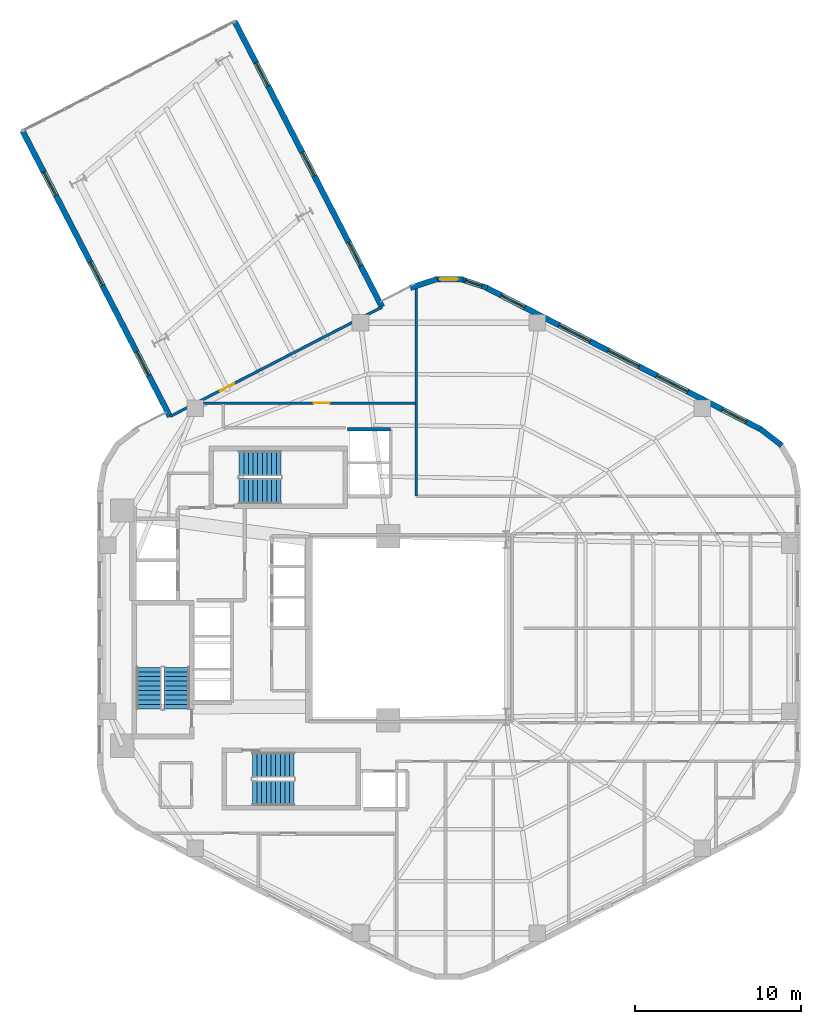
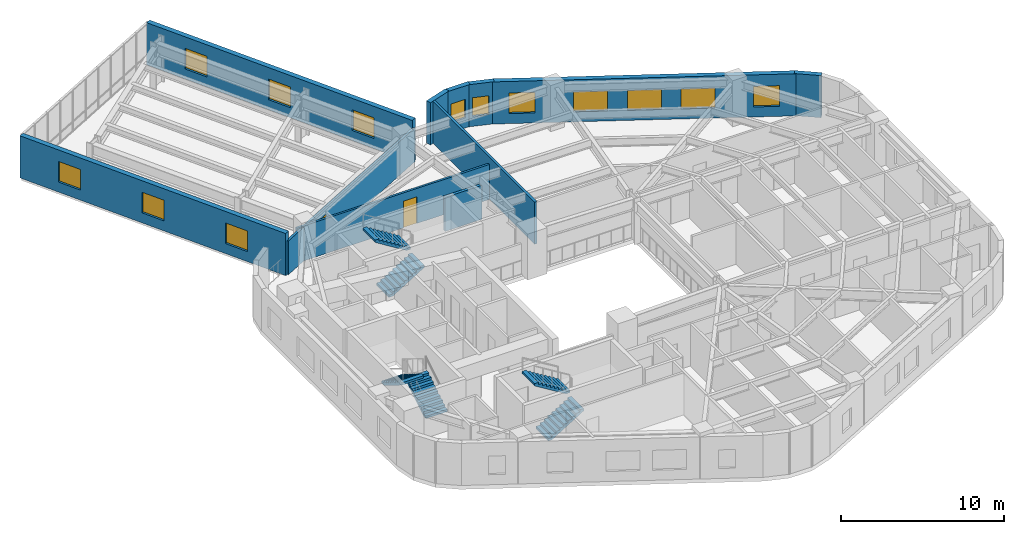
# One storey, part 9 of 10: 13 windows, 11 walls, 6 stair flights, 2 doors, 15 openings, 3 elements without a shape of their own.
"""IFC4 building model written with IfcOpenShell, lengths in metres."""

from ifc_helpers import new_model, si_unit, direction, frame, frame_2d, origin, place, context, subcontext, project, spatial, polyline, rectangle, outline, extrude, material, layer, layer_set, type_object, element, fill, aggregate, save


model = new_model("IFC4")

# Units and contexts
model_context = context("Model", 3, precision=1e-05, world=origin(), true_north=direction((0.0, 1.0)))
body_context = subcontext(model_context, "Body", "Model", "MODEL_VIEW")
ifc_project = project(units=[si_unit("LENGTHUNIT", "METRE"), si_unit("AREAUNIT", "SQUARE_METRE"), si_unit("VOLUMEUNIT", "CUBIC_METRE"), si_unit("PLANEANGLEUNIT", "RADIAN"), si_unit("MASSUNIT", "GRAM", prefix="KILO"), si_unit("THERMODYNAMICTEMPERATUREUNIT", "KELVIN"), si_unit("POWERUNIT", "WATT")], contexts=[model_context])

# Site, building, storey
site_placement = place(None, origin())
site = spatial("IfcSite", under=ifc_project, at=site_placement, CompositionType="ELEMENT")
building_placement = place(site_placement, origin())
building = spatial("IfcBuilding", under=site, at=building_placement, Name="Skarre Station Tower", CompositionType="ELEMENT")
storey_placement = place(building_placement, frame((0.0, 0.0, 142.949951171875)))
storey = spatial("IfcBuildingStorey", under=building, at=storey_placement, Name="L38", CompositionType="ELEMENT", Elevation=142.949951171875)

# Wall, opening, door
ifc_material_1 = material(Name="Acoustic Steel-Stud Gypsum Partition", Category="steel")
ifc_layer_1 = layer(ifc_material_1, 0.14990234375, Name="Acoustic Steel-Stud Gypsum Partition")
ifc_layer_set_1 = layer_set([ifc_layer_1], Name="Acoustic Steel-Stud Gypsum Partition")
wall_type_1 = type_object("IfcWallType", Name="Fire-Rated Corridor Acoustic Partition 150", PredefinedType="PARTITIONING", material=ifc_layer_set_1)
wall_1_placement = place(storey_placement, frame((34.0, 37.580078125, 0.0), z_axis=(0.0, 0.0, 1.0), x_axis=(-1.0, 0.0, 0.0)))
wall_1 = element("IfcWall", 1, at=wall_1_placement, inside=storey, type_object=wall_type_1, Name="L38 Interior Partition WL-PT-L38-NWW1-CW", PredefinedType="PARTITIONING", context=body_context, shape_type="SweptSolid", body=[
    extrude(rectangle(XDim=13.70703125, YDim=0.14990234375, at=frame_2d((6.853515625, 0.0))), origin(), (0.0, 0.0, 1.0), 2.626953125),
])
opening_1_placement = place(wall_1_placement, frame((5.195068359375, 0.0, 0.0)))
opening_1 = element("IfcOpeningElement", 2, at=opening_1_placement, cuts=wall_1, Name="Opening DR-FD60", PredefinedType="OPENING", context=body_context, shape_type="SweptSolid", body=[
    extrude(rectangle(XDim=0.9599609375, YDim=2.0, at=frame_2d((0.47998046875, 1.0))), frame((0.0, 0.0849609375, 0.0), z_axis=(0.0, -1.0, 0.0), x_axis=(1.0, 0.0, 0.0)), (0.0, 0.0, 1.0), 0.169921875),
])
ifc_material_2 = material(Name="Nordic White-Oak Veneer Solid-Core Fire Leaf", Category="wood")
door_type = type_object("IfcDoorType", Name="Corridor Suite Entry Fire Door FD60 960x2150", OperationType="SINGLE_SWING_LEFT", PredefinedType="DOOR", material=ifc_material_2)
door_1_placement = place(opening_1_placement, origin())
door_1 = element("IfcDoor", 3, at=door_1_placement, inside=storey, type_object=door_type, Name="L38 NWW1 Entry Door", OperationType="SINGLE_SWING_LEFT", OverallHeight=2.0, OverallWidth=0.9599609375, PredefinedType="DOOR", context=body_context, shape_type="SweptSolid", body=[
    extrude(rectangle(XDim=0.9599609375, YDim=2.0, at=frame_2d((0.47998046875, 1.0))), frame((0.0, 0.02490234375, 0.0), z_axis=(0.0, -1.0, 0.0), x_axis=(1.0, 0.0, 0.0)), (0.0, 0.0, 1.0), 0.050048828125),
])
fill(opening_1, door_1)

# Wall, openings, windows
ifc_material_3 = material(Name="Precast concrete C45/55", Category="concrete")
ifc_layer_2 = layer(ifc_material_3, 0.340087890625, Name="Precast concrete C45/55")
ifc_layer_set_2 = layer_set([ifc_layer_2], Name="Precast concrete C45/55")
wall_type_2 = type_object("IfcWallType", Name="Nordic Honed Precast Facet Wall 340", PredefinedType="STANDARD", material=ifc_layer_set_2)
wall_2_placement = place(storey_placement, frame((38.23095703125, 44.55810546875, 0.0), z_axis=(0.0, 0.0, 1.0), x_axis=(0.888613612362, -0.458656568606, 0.0)))
wall_2 = element("IfcWall", 4, at=wall_2_placement, inside=storey, type_object=wall_type_2, Name="L38 Facet 0 Nordic Precast Masonry Wall", PredefinedType="STANDARD", context=body_context, shape_type="SweptSolid", body=[
    extrude(rectangle(XDim=18.680908203125, YDim=0.340087890625, at=frame_2d((9.34033203125, 0.0))), origin(), (0.0, 0.0, 1.0), 3.16015625),
])
opening_2_placement = place(wall_2_placement, frame((1.02294921875, 0.0, 0.75)))
opening_2 = element("IfcOpeningElement", 5, at=opening_2_placement, cuts=wall_2, Name="Opening WN-Z2A", PredefinedType="OPENING", context=body_context, shape_type="SweptSolid", body=[
    extrude(rectangle(XDim=1.60009765625, YDim=1.550048828125, at=frame_2d((0.800048828125, 0.77490234375))), frame((0.0, 0.179931640625, 0.0), z_axis=(0.0, -1.0, 0.0), x_axis=(1.0, 0.0, 0.0)), (0.0, 0.0, 1.0), 0.360107421875),
])
opening_3_placement = place(wall_2_placement, frame((4.98095703125, 0.0, 0.75)))
opening_3 = element("IfcOpeningElement", 6, at=opening_3_placement, cuts=wall_2, Name="Opening WN-Z2B", PredefinedType="OPENING", context=body_context, shape_type="SweptSolid", body=[
    extrude(rectangle(XDim=2.10009765625, YDim=1.5, at=frame_2d((1.050048828125, 0.75))), frame((0.0, 0.179931640625, 0.0), z_axis=(0.0, -1.0, 0.0), x_axis=(1.0, 0.0, 0.0)), (0.0, 0.0, 1.0), 0.360107421875),
])
opening_4_placement = place(wall_2_placement, frame((8.2900390625, 0.0, 0.75)))
opening_4 = element("IfcOpeningElement", 7, at=opening_4_placement, cuts=wall_2, Name="Opening WN-Z2B", PredefinedType="OPENING", context=body_context, shape_type="SweptSolid", body=[
    extrude(rectangle(XDim=2.10009765625, YDim=1.5, at=frame_2d((1.050048828125, 0.75))), frame((0.0, 0.179931640625, 0.0), z_axis=(0.0, -1.0, 0.0), x_axis=(1.0, 0.0, 0.0)), (0.0, 0.0, 1.0), 0.360107421875),
])
opening_5_placement = place(wall_2_placement, frame((11.60009765625, 0.0, 0.75)))
opening_5 = element("IfcOpeningElement", 8, at=opening_5_placement, cuts=wall_2, Name="Opening WN-Z2B", PredefinedType="OPENING", context=body_context, shape_type="SweptSolid", body=[
    extrude(rectangle(XDim=2.10009765625, YDim=1.5, at=frame_2d((1.050048828125, 0.75))), frame((0.0, 0.179931640625, 0.0), z_axis=(0.0, -1.0, 0.0), x_axis=(1.0, 0.0, 0.0)), (0.0, 0.0, 1.0), 0.360107421875),
])
opening_6_placement = place(wall_2_placement, frame((16.05810546875, 0.0, 0.75)))
opening_6 = element("IfcOpeningElement", 9, at=opening_6_placement, cuts=wall_2, Name="Opening WN-Z2A", PredefinedType="OPENING", context=body_context, shape_type="SweptSolid", body=[
    extrude(rectangle(XDim=1.60009765625, YDim=1.550048828125, at=frame_2d((0.800048828125, 0.77490234375))), frame((0.0, 0.179931640625, 0.0), z_axis=(0.0, -1.0, 0.0), x_axis=(1.0, 0.0, 0.0)), (0.0, 0.0, 1.0), 0.360107421875),
])
ifc_material_4 = material(Name="Low-Iron Triple Glazing with Bronze Anodized Frame", Category="glass")
window_type_1 = type_object("IfcWindowType", Name="Nordic Residential Tall Window 1600x1550", PartitioningType="SINGLE_PANEL", PredefinedType="WINDOW", material=ifc_material_4)
window_1_placement = place(opening_2_placement, origin())
window_1 = element("IfcWindow", 10, at=window_1_placement, inside=storey, type_object=window_type_1, Name="L38 Facade Window WL-FAC-L38-F0-1", OverallHeight=1.550048828125, OverallWidth=1.60009765625, PartitioningType="SINGLE_PANEL", PredefinedType="WINDOW", context=body_context, shape_type="SweptSolid", body=[
    extrude(rectangle(XDim=1.60009765625, YDim=1.550048828125, at=frame_2d((0.800048828125, 0.77490234375))), frame((0.0, 0.030029296875, 0.0), z_axis=(0.0, -1.0, 0.0), x_axis=(1.0, 0.0, 0.0)), (0.0, 0.0, 1.0), 0.06005859375),
])
fill(opening_2, window_1)
window_2_placement = place(opening_6_placement, origin())
window_2 = element("IfcWindow", 11, at=window_2_placement, inside=storey, type_object=window_type_1, Name="L38 Facade Window WL-FAC-L38-F0-5", OverallHeight=1.550048828125, OverallWidth=1.60009765625, PartitioningType="SINGLE_PANEL", PredefinedType="WINDOW", context=body_context, shape_type="SweptSolid", body=[
    extrude(rectangle(XDim=1.60009765625, YDim=1.550048828125, at=frame_2d((0.800048828125, 0.77490234375))), frame((0.0, 0.030029296875, 0.0), z_axis=(0.0, -1.0, 0.0), x_axis=(1.0, 0.0, 0.0)), (0.0, 0.0, 1.0), 0.06005859375),
])
fill(opening_6, window_2)
window_type_2 = type_object("IfcWindowType", Name="Nordic Residential Twin Window 2100x1500", PartitioningType="SINGLE_PANEL", PredefinedType="WINDOW", material=ifc_material_4)
window_3_placement = place(opening_3_placement, origin())
window_3 = element("IfcWindow", 12, at=window_3_placement, inside=storey, type_object=window_type_2, Name="L38 Facade Window WL-FAC-L38-F0-2", OverallHeight=1.5, OverallWidth=2.10009765625, PartitioningType="SINGLE_PANEL", PredefinedType="WINDOW", context=body_context, shape_type="SweptSolid", body=[
    extrude(rectangle(XDim=2.10009765625, YDim=1.5, at=frame_2d((1.050048828125, 0.75))), frame((0.0, 0.030029296875, 0.0), z_axis=(0.0, -1.0, 0.0), x_axis=(1.0, 0.0, 0.0)), (0.0, 0.0, 1.0), 0.06005859375),
])
fill(opening_3, window_3)
window_4_placement = place(opening_4_placement, origin())
window_4 = element("IfcWindow", 13, at=window_4_placement, inside=storey, type_object=window_type_2, Name="L38 Facade Window WL-FAC-L38-F0-3", OverallHeight=1.5, OverallWidth=2.10009765625, PartitioningType="SINGLE_PANEL", PredefinedType="WINDOW", context=body_context, shape_type="SweptSolid", body=[
    extrude(rectangle(XDim=2.10009765625, YDim=1.5, at=frame_2d((1.050048828125, 0.75))), frame((0.0, 0.030029296875, 0.0), z_axis=(0.0, -1.0, 0.0), x_axis=(1.0, 0.0, 0.0)), (0.0, 0.0, 1.0), 0.06005859375),
])
fill(opening_4, window_4)
window_5_placement = place(opening_5_placement, origin())
window_5 = element("IfcWindow", 14, at=window_5_placement, inside=storey, type_object=window_type_2, Name="L38 Facade Window WL-FAC-L38-F0-4", OverallHeight=1.5, OverallWidth=2.10009765625, PartitioningType="SINGLE_PANEL", PredefinedType="WINDOW", context=body_context, shape_type="SweptSolid", body=[
    extrude(rectangle(XDim=2.10009765625, YDim=1.5, at=frame_2d((1.050048828125, 0.75))), frame((0.0, 0.030029296875, 0.0), z_axis=(0.0, -1.0, 0.0), x_axis=(1.0, 0.0, 0.0)), (0.0, 0.0, 1.0), 0.06005859375),
])
fill(opening_5, window_5)

wall_3_placement = place(storey_placement, frame((23.074951171875, 60.611083984375, 0.0), z_axis=(0.0, 0.0, 1.0), x_axis=(0.458619197522, -0.888632900395, 0.0)))
wall_3 = element("IfcWall", 15, at=wall_3_placement, inside=storey, type_object=wall_type_2, Name="L38 SB-3 Side 1 Precast Wall", PredefinedType="STANDARD", context=body_context, shape_type="SweptSolid", body=[
    extrude(rectangle(XDim=19.3994140625, YDim=0.340087890625, at=frame_2d((9.69970703125, 0.0))), origin(), (0.0, 0.0, 1.0), 3.16015625),
])
opening_7_placement = place(wall_3_placement, frame((2.800048828125, 0.0, 0.75)))
opening_7 = element("IfcOpeningElement", 16, at=opening_7_placement, cuts=wall_3, Name="Opening WN-Z2A", PredefinedType="OPENING", context=body_context, shape_type="SweptSolid", body=[
    extrude(rectangle(XDim=1.60009765625, YDim=1.550048828125, at=frame_2d((0.800048828125, 0.77490234375))), frame((0.0, 0.179931640625, 0.0), z_axis=(0.0, -1.0, 0.0), x_axis=(1.0, 0.0, 0.0)), (0.0, 0.0, 1.0), 0.360107421875),
])
opening_8_placement = place(wall_3_placement, frame((8.89990234375, 0.0, 0.75)))
opening_8 = element("IfcOpeningElement", 17, at=opening_8_placement, cuts=wall_3, Name="Opening WN-Z2A", PredefinedType="OPENING", context=body_context, shape_type="SweptSolid", body=[
    extrude(rectangle(XDim=1.60009765625, YDim=1.550048828125, at=frame_2d((0.800048828125, 0.77490234375))), frame((0.0, 0.179931640625, 0.0), z_axis=(0.0, -1.0, 0.0), x_axis=(1.0, 0.0, 0.0)), (0.0, 0.0, 1.0), 0.360107421875),
])
opening_9_placement = place(wall_3_placement, frame((15.0, 0.0, 0.75)))
opening_9 = element("IfcOpeningElement", 18, at=opening_9_placement, cuts=wall_3, Name="Opening WN-Z2A", PredefinedType="OPENING", context=body_context, shape_type="SweptSolid", body=[
    extrude(rectangle(XDim=1.60009765625, YDim=1.550048828125, at=frame_2d((0.800048828125, 0.77490234375))), frame((0.0, 0.179931640625, 0.0), z_axis=(0.0, -1.0, 0.0), x_axis=(1.0, 0.0, 0.0)), (0.0, 0.0, 1.0), 0.360107421875),
])
window_6_placement = place(opening_7_placement, origin())
window_6 = element("IfcWindow", 19, at=window_6_placement, inside=storey, type_object=window_type_1, Name="L38 Facade Window WL-SB-3-L38-S1-1", OverallHeight=1.550048828125, OverallWidth=1.60009765625, PartitioningType="SINGLE_PANEL", PredefinedType="WINDOW", context=body_context, shape_type="SweptSolid", body=[
    extrude(rectangle(XDim=1.60009765625, YDim=1.550048828125, at=frame_2d((0.800048828125, 0.77490234375))), frame((0.0, 0.030029296875, 0.0), z_axis=(0.0, -1.0, 0.0), x_axis=(1.0, 0.0, 0.0)), (0.0, 0.0, 1.0), 0.06005859375),
])
fill(opening_7, window_6)
window_7_placement = place(opening_8_placement, origin())
window_7 = element("IfcWindow", 20, at=window_7_placement, inside=storey, type_object=window_type_1, Name="L38 Facade Window WL-SB-3-L38-S1-2", OverallHeight=1.550048828125, OverallWidth=1.60009765625, PartitioningType="SINGLE_PANEL", PredefinedType="WINDOW", context=body_context, shape_type="SweptSolid", body=[
    extrude(rectangle(XDim=1.60009765625, YDim=1.550048828125, at=frame_2d((0.800048828125, 0.77490234375))), frame((0.0, 0.030029296875, 0.0), z_axis=(0.0, -1.0, 0.0), x_axis=(1.0, 0.0, 0.0)), (0.0, 0.0, 1.0), 0.06005859375),
])
fill(opening_8, window_7)
window_8_placement = place(opening_9_placement, origin())
window_8 = element("IfcWindow", 21, at=window_8_placement, inside=storey, type_object=window_type_1, Name="L38 Facade Window WL-SB-3-L38-S1-3", OverallHeight=1.550048828125, OverallWidth=1.60009765625, PartitioningType="SINGLE_PANEL", PredefinedType="WINDOW", context=body_context, shape_type="SweptSolid", body=[
    extrude(rectangle(XDim=1.60009765625, YDim=1.550048828125, at=frame_2d((0.800048828125, 0.77490234375))), frame((0.0, 0.030029296875, 0.0), z_axis=(0.0, -1.0, 0.0), x_axis=(1.0, 0.0, 0.0)), (0.0, 0.0, 1.0), 0.06005859375),
])
fill(opening_9, window_8)

wall_4_placement = place(storey_placement, frame((19.177001953125, 36.76708984375, 0.0), z_axis=(0.0, 0.0, 1.0), x_axis=(-0.458658947762, 0.88861238436, 0.0)))
wall_4 = element("IfcWall", 22, at=wall_4_placement, inside=storey, type_object=wall_type_2, Name="L38 SB-3 Side 2 Precast Wall", PredefinedType="STANDARD", context=body_context, shape_type="SweptSolid", body=[
    extrude(rectangle(XDim=19.39990234375, YDim=0.340087890625, at=frame_2d((9.699951171875, 0.0))), origin(), (0.0, 0.0, 1.0), 3.16015625),
])
opening_10_placement = place(wall_4_placement, frame((2.800048828125, 0.0, 0.75)))
opening_10 = element("IfcOpeningElement", 23, at=opening_10_placement, cuts=wall_4, Name="Opening WN-Z2A", PredefinedType="OPENING", context=body_context, shape_type="SweptSolid", body=[
    extrude(rectangle(XDim=1.60009765625, YDim=1.550048828125, at=frame_2d((0.800048828125, 0.77490234375))), frame((0.0, 0.179931640625, 0.0), z_axis=(0.0, -1.0, 0.0), x_axis=(1.0, 0.0, 0.0)), (0.0, 0.0, 1.0), 0.360107421875),
])
opening_11_placement = place(wall_4_placement, frame((8.89990234375, 0.0, 0.75)))
opening_11 = element("IfcOpeningElement", 24, at=opening_11_placement, cuts=wall_4, Name="Opening WN-Z2A", PredefinedType="OPENING", context=body_context, shape_type="SweptSolid", body=[
    extrude(rectangle(XDim=1.60009765625, YDim=1.550048828125, at=frame_2d((0.800048828125, 0.77490234375))), frame((0.0, 0.179931640625, 0.0), z_axis=(0.0, -1.0, 0.0), x_axis=(1.0, 0.0, 0.0)), (0.0, 0.0, 1.0), 0.360107421875),
])
opening_12_placement = place(wall_4_placement, frame((15.0, 0.0, 0.75)))
opening_12 = element("IfcOpeningElement", 25, at=opening_12_placement, cuts=wall_4, Name="Opening WN-Z2A", PredefinedType="OPENING", context=body_context, shape_type="SweptSolid", body=[
    extrude(rectangle(XDim=1.60009765625, YDim=1.550048828125, at=frame_2d((0.800048828125, 0.77490234375))), frame((0.0, 0.179931640625, 0.0), z_axis=(0.0, -1.0, 0.0), x_axis=(1.0, 0.0, 0.0)), (0.0, 0.0, 1.0), 0.360107421875),
])
window_9_placement = place(opening_10_placement, origin())
window_9 = element("IfcWindow", 26, at=window_9_placement, inside=storey, type_object=window_type_1, Name="L38 Facade Window WL-SB-3-L38-S2-1", OverallHeight=1.550048828125, OverallWidth=1.60009765625, PartitioningType="SINGLE_PANEL", PredefinedType="WINDOW", context=body_context, shape_type="SweptSolid", body=[
    extrude(rectangle(XDim=1.60009765625, YDim=1.550048828125, at=frame_2d((0.800048828125, 0.77490234375))), frame((0.0, 0.030029296875, 0.0), z_axis=(0.0, -1.0, 0.0), x_axis=(1.0, 0.0, 0.0)), (0.0, 0.0, 1.0), 0.06005859375),
])
fill(opening_10, window_9)
window_10_placement = place(opening_11_placement, origin())
window_10 = element("IfcWindow", 27, at=window_10_placement, inside=storey, type_object=window_type_1, Name="L38 Facade Window WL-SB-3-L38-S2-2", OverallHeight=1.550048828125, OverallWidth=1.60009765625, PartitioningType="SINGLE_PANEL", PredefinedType="WINDOW", context=body_context, shape_type="SweptSolid", body=[
    extrude(rectangle(XDim=1.60009765625, YDim=1.550048828125, at=frame_2d((0.800048828125, 0.77490234375))), frame((0.0, 0.030029296875, 0.0), z_axis=(0.0, -1.0, 0.0), x_axis=(1.0, 0.0, 0.0)), (0.0, 0.0, 1.0), 0.06005859375),
])
fill(opening_11, window_10)
window_11_placement = place(opening_12_placement, origin())
window_11 = element("IfcWindow", 28, at=window_11_placement, inside=storey, type_object=window_type_1, Name="L38 Facade Window WL-SB-3-L38-S2-3", OverallHeight=1.550048828125, OverallWidth=1.60009765625, PartitioningType="SINGLE_PANEL", PredefinedType="WINDOW", context=body_context, shape_type="SweptSolid", body=[
    extrude(rectangle(XDim=1.60009765625, YDim=1.550048828125, at=frame_2d((0.800048828125, 0.77490234375))), frame((0.0, 0.030029296875, 0.0), z_axis=(0.0, -1.0, 0.0), x_axis=(1.0, 0.0, 0.0)), (0.0, 0.0, 1.0), 0.06005859375),
])
fill(opening_12, window_11)

# Walls
ifc_layer_3 = layer(ifc_material_3, 0.330078125, Name="Precast concrete C45/55")
ifc_layer_set_3 = layer_set([ifc_layer_3], Name="Precast concrete C45/55")
wall_type_3 = type_object("IfcWallType", Name="Nordic Rounded Corner Precast Wall 330", PredefinedType="STANDARD", material=ifc_layer_set_3)
wall_5_placement = place(storey_placement, frame((54.757080078125, 36.050048828125, 0.0), z_axis=(0.0, 0.0, 1.0), x_axis=(0.790621329885, -0.612305408053, 0.0)))
element("IfcWall", 29, at=wall_5_placement, inside=storey, type_object=wall_type_3, Name="L38 Rounded Corner Precast Wall F0-1", PredefinedType="STANDARD", context=body_context, shape_type="SweptSolid", body=[
    extrude(rectangle(XDim=1.67578125, YDim=0.330078125, at=frame_2d((0.837890625, 0.0))), origin(), (0.0, 0.0, 1.0), 3.16015625),
])
wall_6_placement = place(storey_placement, frame((33.680908203125, 44.531982421875, 0.0), z_axis=(0.0, 0.0, 1.0), x_axis=(0.949937416267, 0.312440242569, 0.0)))
element("IfcWall", 30, at=wall_6_placement, inside=storey, type_object=wall_type_3, Name="L38 Rounded Corner Precast Wall F1-1", PredefinedType="STANDARD", context=body_context, shape_type="SweptSolid", body=[
    extrude(rectangle(XDim=1.72216796875, YDim=0.330078125, at=frame_2d((0.861083984375, 0.0))), origin(), (0.0, 0.0, 1.0), 3.16015625),
])

# Wall, opening, window
wall_7_placement = place(storey_placement, frame((35.138916015625, 45.041015625, 0.0), z_axis=(0.0, 0.0, 1.0), x_axis=(1.0, 0.0, 0.0)))
wall_7 = element("IfcWall", 31, at=wall_7_placement, inside=storey, type_object=wall_type_3, Name="L38 Rounded Corner Precast Wall F1-2", PredefinedType="STANDARD", context=body_context, shape_type="SweptSolid", body=[
    extrude(rectangle(XDim=1.72216796875, YDim=0.330078125, at=frame_2d((0.861083984375, 0.0))), origin(), (0.0, 0.0, 1.0), 3.16015625),
])
opening_13_placement = place(wall_7_placement, frame((0.3359375, 0.0, 0.75)))
opening_13 = element("IfcOpeningElement", 32, at=opening_13_placement, cuts=wall_7, Name="Opening WN-SLT", PredefinedType="OPENING", context=body_context, shape_type="SweptSolid", body=[
    extrude(rectangle(XDim=1.050048828125, YDim=1.39990234375, at=frame_2d((0.52490234375, 0.699951171875))), frame((0.0, 0.175048828125, 0.0), z_axis=(0.0, -1.0, 0.0), x_axis=(1.0, 0.0, 0.0)), (0.0, 0.0, 1.0), 0.35009765625),
])
window_type_3 = type_object("IfcWindowType", Name="Nordic Corner Slot Window 1050x1400", PartitioningType="SINGLE_PANEL", PredefinedType="WINDOW", material=ifc_material_4)
window_12_placement = place(opening_13_placement, origin())
window_12 = element("IfcWindow", 33, at=window_12_placement, inside=storey, type_object=window_type_3, Name="L38 Apex Corner Slot Window F1-2", OverallHeight=1.39990234375, OverallWidth=1.050048828125, PartitioningType="SINGLE_PANEL", PredefinedType="WINDOW", context=body_context, shape_type="SweptSolid", body=[
    extrude(rectangle(XDim=1.050048828125, YDim=1.39990234375, at=frame_2d((0.52490234375, 0.699951171875))), frame((0.0, 0.030029296875, 0.0), z_axis=(0.0, -1.0, 0.0), x_axis=(1.0, 0.0, 0.0)), (0.0, 0.0, 1.0), 0.06005859375),
])
fill(opening_13, window_12)

wall_8_placement = place(storey_placement, frame((36.68310546875, 45.070068359375, 0.0), z_axis=(0.0, 0.0, 1.0), x_axis=(0.949937416267, -0.312440242569, 0.0)))
wall_8 = element("IfcWall", 34, at=wall_8_placement, inside=storey, type_object=wall_type_3, Name="L38 Rounded Corner Precast Wall F1-3", PredefinedType="STANDARD", context=body_context, shape_type="SweptSolid", body=[
    extrude(rectangle(XDim=1.72216796875, YDim=0.330078125, at=frame_2d((0.861083984375, 0.0))), origin(), (0.0, 0.0, 1.0), 3.16015625),
])
opening_14_placement = place(wall_8_placement, frame((0.3359375, 0.0, 0.75)))
opening_14 = element("IfcOpeningElement", 35, at=opening_14_placement, cuts=wall_8, Name="Opening WN-SLT", PredefinedType="OPENING", context=body_context, shape_type="SweptSolid", body=[
    extrude(rectangle(XDim=1.050048828125, YDim=1.39990234375, at=frame_2d((0.52490234375, 0.699951171875))), frame((0.0, 0.175048828125, 0.0), z_axis=(0.0, -1.0, 0.0), x_axis=(1.0, 0.0, 0.0)), (0.0, 0.0, 1.0), 0.35009765625),
])
window_13_placement = place(opening_14_placement, origin())
window_13 = element("IfcWindow", 36, at=window_13_placement, inside=storey, type_object=window_type_3, Name="L38 Apex Corner Slot Window F1-3", OverallHeight=1.39990234375, OverallWidth=1.050048828125, PartitioningType="SINGLE_PANEL", PredefinedType="WINDOW", context=body_context, shape_type="SweptSolid", body=[
    extrude(rectangle(XDim=1.050048828125, YDim=1.39990234375, at=frame_2d((0.52490234375, 0.699951171875))), frame((0.0, 0.030029296875, 0.0), z_axis=(0.0, -1.0, 0.0), x_axis=(1.0, 0.0, 0.0)), (0.0, 0.0, 1.0), 0.06005859375),
])
fill(opening_14, window_13)

# Walls
ifc_material_5 = material(Name="Gypsum Concrete Shaft Assembly C30/37", Category="concrete")
ifc_layer_4 = layer(ifc_material_5, 0.199951171875, Name="Gypsum Concrete Shaft Assembly C30/37")
ifc_layer_set_4 = layer_set([ifc_layer_4], Name="Gypsum Concrete Shaft Assembly C30/37")
wall_type_4 = type_object("IfcWallType", Name="Shaft & Core Fire Partition 200", PredefinedType="PARTITIONING", material=ifc_layer_set_4)
wall_9_placement = place(storey_placement, frame((29.8798828125, 36.0, 0.0), z_axis=(0.0, 0.0, 1.0), x_axis=(1.0, 0.0, 0.0)))
element("IfcWall", 37, at=wall_9_placement, inside=storey, type_object=wall_type_4, Name="L38 Interior Partition WL-PT-L38-EX-N", PredefinedType="PARTITIONING", context=body_context, shape_type="SweptSolid", body=[
    extrude(rectangle(XDim=2.60009765625, YDim=0.199951171875, at=frame_2d((1.300048828125, 0.0))), origin(), (0.0, 0.0, 1.0), 2.552001953125),
])
ifc_layer_5 = layer(ifc_material_1, 0.1650390625, Name="Acoustic Steel-Stud Gypsum Partition")
ifc_layer_set_5 = layer_set([ifc_layer_5], Name="Acoustic Steel-Stud Gypsum Partition")
wall_type_5 = type_object("IfcWallType", Name="Suite Demising Acoustic Partition 165", PredefinedType="PARTITIONING", material=ifc_layer_set_5)
wall_10_placement = place(storey_placement, frame((34.0400390625, 31.9599609375, 0.0), z_axis=(0.0, 0.0, 1.0), x_axis=(0.0, 1.0, 0.0)))
element("IfcWall", 38, at=wall_10_placement, inside=storey, type_object=wall_type_5, Name="L38 Interior Partition WL-PT-L38-NW-WBND", PredefinedType="PARTITIONING", context=body_context, shape_type="SweptSolid", body=[
    extrude(rectangle(XDim=12.55810546875, YDim=0.1650390625, at=frame_2d((6.279052734375, 0.0))), origin(), (0.0, 0.0, 1.0), 3.16015625),
])

# Wall, opening, door
wall_11_placement = place(storey_placement, frame((31.971923828125, 43.3720703125, 0.0), z_axis=(0.0, 0.0, 1.0), x_axis=(-0.888588109751, -0.458705974683, 0.0)))
wall_11 = element("IfcWall", 39, at=wall_11_placement, inside=storey, type_object=wall_type_5, Name="L38 Interior Partition WL-PT-L38-SB-3-ROOT", PredefinedType="PARTITIONING", context=body_context, shape_type="SweptSolid", body=[
    extrude(rectangle(XDim=14.399169921875, YDim=0.1650390625, at=frame_2d((7.19970703125, 0.0))), origin(), (0.0, 0.0, 1.0), 2.531982421875),
])
opening_15_placement = place(wall_11_placement, frame((10.049072265625, 0.0, 0.0)))
opening_15 = element("IfcOpeningElement", 40, at=opening_15_placement, cuts=wall_11, Name="Opening DR-FD60", PredefinedType="OPENING", context=body_context, shape_type="SweptSolid", body=[
    extrude(rectangle(XDim=0.9599609375, YDim=2.0, at=frame_2d((0.47998046875, 1.0))), frame((0.0, 0.092529296875, 0.0), z_axis=(0.0, -1.0, 0.0), x_axis=(1.0, 0.0, 0.0)), (0.0, 0.0, 1.0), 0.18505859375),
])
door_2_placement = place(opening_15_placement, origin())
door_2 = element("IfcDoor", 41, at=door_2_placement, inside=storey, type_object=door_type, Name="L38 SB-3 Horizon Salon Door", OperationType="SINGLE_SWING_LEFT", OverallHeight=2.0, OverallWidth=0.9599609375, PredefinedType="DOOR", context=body_context, shape_type="SweptSolid", body=[
    extrude(rectangle(XDim=0.9599609375, YDim=2.0, at=frame_2d((0.47998046875, 1.0))), frame((0.0, 0.02490234375, 0.0), z_axis=(0.0, -1.0, 0.0), x_axis=(1.0, 0.0, 0.0)), (0.0, 0.0, 1.0), 0.050048828125),
])
fill(opening_15, door_2)

# Stair, stair flights
ifc_material_6 = material(Name="Concrete C40/50", Category="concrete")
stair_type_1 = type_object("IfcStairType", Name="Reinforced Concrete Exit Stair ST-1", PredefinedType="HALF_TURN_STAIR", material=ifc_material_6)
stair_1_placement = place(storey_placement, origin())
stair_1 = element("IfcStair", 42, at=stair_1_placement, inside=storey, type_object=stair_type_1, Name="L38 Core Exit Stair ST-1", PredefinedType="HALF_TURN_STAIR")
stair_flight_type_1 = type_object("IfcStairFlightType", Name="Reinforced Concrete Stair Flight ST-1", PredefinedType="STRAIGHT", material=ifc_material_6)
stair_flight_1_placement = place(storey_placement, frame((19.590087890625, 19.1201171875, 0.0), z_axis=(0.0, 0.0, 1.0), x_axis=(0.0, 1.0, 0.0)))
stair_flight_1 = element("IfcStairFlight", 43, at=stair_flight_1_placement, type_object=stair_flight_type_1, Name="ST-1 flight 1", NumberOfRisers=10, NumberOfTreads=9, PredefinedType="STRAIGHT", RiserHeight=0.1725, TreadLength=0.28, context=body_context, shape_type="SweptSolid", body=[
    extrude(outline(polyline([(0.0, 0.0), (0.0, 0.172607421875), (0.280029296875, 0.172607421875), (0.280029296875, 0.344970703125), (0.56005859375, 0.344970703125), (0.56005859375, 0.517578125), (0.840087890625, 0.517578125), (0.840087890625, 0.68994140625), (1.1201171875, 0.68994140625), (1.1201171875, 0.862548828125), (1.39990234375, 0.862548828125), (1.39990234375, 1.034912109375), (1.679931640625, 1.034912109375), (1.679931640625, 1.20751953125), (1.9599609375, 1.20751953125), (1.9599609375, 1.3798828125), (2.239990234375, 1.3798828125), (2.239990234375, 1.552490234375), (2.52001953125, 1.552490234375), (2.52001953125, 1.72509765625), (2.52001953125, 1.37646484375), (0.285888671875, 0.0), (0.0, 0.0)])), frame((0.0, 0.760009765625, 0.0), z_axis=(0.0, -1.0, 0.0), x_axis=(1.0, 0.0, 0.0)), (0.0, 0.0, 1.0), 1.52001953125),
])
stair_flight_2_placement = place(storey_placement, frame((17.909912109375, 21.639892578125, 1.72509765625), z_axis=(0.0, 0.0, 1.0), x_axis=(0.0, -1.0, 0.0)))
stair_flight_2 = element("IfcStairFlight", 44, at=stair_flight_2_placement, type_object=stair_flight_type_1, Name="ST-1 flight 2", NumberOfRisers=10, NumberOfTreads=9, PredefinedType="STRAIGHT", RiserHeight=0.1725, TreadLength=0.28, context=body_context, shape_type="SweptSolid", body=[
    extrude(outline(polyline([(0.0, 0.0), (0.0, 0.172607421875), (0.280029296875, 0.172607421875), (0.280029296875, 0.344970703125), (0.56005859375, 0.344970703125), (0.56005859375, 0.517578125), (0.840087890625, 0.517578125), (0.840087890625, 0.68994140625), (1.1201171875, 0.68994140625), (1.1201171875, 0.862548828125), (1.39990234375, 0.862548828125), (1.39990234375, 1.034912109375), (1.679931640625, 1.034912109375), (1.679931640625, 1.20751953125), (1.9599609375, 1.20751953125), (1.9599609375, 1.3798828125), (2.239990234375, 1.3798828125), (2.239990234375, 1.552490234375), (2.52001953125, 1.552490234375), (2.52001953125, 1.72509765625), (2.52001953125, 1.37646484375), (0.285888671875, 0.0), (0.0, 0.0)])), frame((0.0, 0.760009765625, 0.0), z_axis=(0.0, -1.0, 0.0), x_axis=(1.0, 0.0, 0.0)), (0.0, 0.0, 1.0), 1.52001953125),
])
aggregate(stair_1, [stair_flight_1, stair_flight_2])

stair_type_2 = type_object("IfcStairType", Name="Reinforced Concrete Exit Stair ST-2", PredefinedType="HALF_TURN_STAIR", material=ifc_material_6)
stair_2_placement = place(storey_placement, origin())
stair_2 = element("IfcStair", 45, at=stair_2_placement, inside=storey, type_object=stair_type_2, Name="L38 Core Exit Stair ST-2", PredefinedType="HALF_TURN_STAIR")
stair_flight_type_2 = type_object("IfcStairFlightType", Name="Reinforced Concrete Stair Flight ST-2", PredefinedType="STRAIGHT", material=ifc_material_6)
stair_flight_3_placement = place(storey_placement, frame((24.14990234375, 14.06005859375, 0.0), z_axis=(0.0, 0.0, 1.0), x_axis=(1.0, 0.0, 0.0)))
stair_flight_3 = element("IfcStairFlight", 46, at=stair_flight_3_placement, type_object=stair_flight_type_2, Name="ST-2 flight 1", NumberOfRisers=10, NumberOfTreads=9, PredefinedType="STRAIGHT", RiserHeight=0.1725, TreadLength=0.28, context=body_context, shape_type="SweptSolid", body=[
    extrude(outline(polyline([(0.0, 0.0), (0.0, 0.172607421875), (0.280029296875, 0.172607421875), (0.280029296875, 0.344970703125), (0.56005859375, 0.344970703125), (0.56005859375, 0.517578125), (0.840087890625, 0.517578125), (0.840087890625, 0.68994140625), (1.1201171875, 0.68994140625), (1.1201171875, 0.862548828125), (1.39990234375, 0.862548828125), (1.39990234375, 1.034912109375), (1.679931640625, 1.034912109375), (1.679931640625, 1.20751953125), (1.9599609375, 1.20751953125), (1.9599609375, 1.3798828125), (2.239990234375, 1.3798828125), (2.239990234375, 1.552490234375), (2.52001953125, 1.552490234375), (2.52001953125, 1.72509765625), (2.52001953125, 1.37646484375), (0.285888671875, 0.0), (0.0, 0.0)])), frame((0.0, 0.760009765625, 0.0), z_axis=(0.0, -1.0, 0.0), x_axis=(1.0, 0.0, 0.0)), (0.0, 0.0, 1.0), 1.52001953125),
])
stair_flight_4_placement = place(storey_placement, frame((26.669921875, 15.739990234375, 1.72509765625), z_axis=(0.0, 0.0, 1.0), x_axis=(-1.0, 0.0, 0.0)))
stair_flight_4 = element("IfcStairFlight", 47, at=stair_flight_4_placement, type_object=stair_flight_type_2, Name="ST-2 flight 2", NumberOfRisers=10, NumberOfTreads=9, PredefinedType="STRAIGHT", RiserHeight=0.1725, TreadLength=0.28, context=body_context, shape_type="SweptSolid", body=[
    extrude(outline(polyline([(0.0, 0.0), (0.0, 0.172607421875), (0.280029296875, 0.172607421875), (0.280029296875, 0.344970703125), (0.56005859375, 0.344970703125), (0.56005859375, 0.517578125), (0.840087890625, 0.517578125), (0.840087890625, 0.68994140625), (1.1201171875, 0.68994140625), (1.1201171875, 0.862548828125), (1.39990234375, 0.862548828125), (1.39990234375, 1.034912109375), (1.679931640625, 1.034912109375), (1.679931640625, 1.20751953125), (1.9599609375, 1.20751953125), (1.9599609375, 1.3798828125), (2.239990234375, 1.3798828125), (2.239990234375, 1.552490234375), (2.52001953125, 1.552490234375), (2.52001953125, 1.72509765625), (2.52001953125, 1.37646484375), (0.285888671875, 0.0), (0.0, 0.0)])), frame((0.0, 0.760009765625, 0.0), z_axis=(0.0, -1.0, 0.0), x_axis=(1.0, 0.0, 0.0)), (0.0, 0.0, 1.0), 1.52001953125),
])
aggregate(stair_2, [stair_flight_3, stair_flight_4])

stair_type_3 = type_object("IfcStairType", Name="Reinforced Concrete Exit Stair ST-3", PredefinedType="HALF_TURN_STAIR", material=ifc_material_6)
stair_3_placement = place(storey_placement, origin())
stair_3 = element("IfcStair", 48, at=stair_3_placement, inside=storey, type_object=stair_type_3, Name="L38 Core Exit Stair ST-3", PredefinedType="HALF_TURN_STAIR")
stair_flight_type_3 = type_object("IfcStairFlightType", Name="Reinforced Concrete Stair Flight ST-3", PredefinedType="STRAIGHT", material=ifc_material_6)
stair_flight_5_placement = place(storey_placement, frame((23.35009765625, 32.260009765625, 0.0), z_axis=(0.0, 0.0, 1.0), x_axis=(1.0, 0.0, 0.0)))
stair_flight_5 = element("IfcStairFlight", 49, at=stair_flight_5_placement, type_object=stair_flight_type_3, Name="ST-3 flight 1", NumberOfRisers=10, NumberOfTreads=9, PredefinedType="STRAIGHT", RiserHeight=0.1725, TreadLength=0.28, context=body_context, shape_type="SweptSolid", body=[
    extrude(outline(polyline([(0.0, 0.0), (0.0, 0.172607421875), (0.280029296875, 0.172607421875), (0.280029296875, 0.344970703125), (0.56005859375, 0.344970703125), (0.56005859375, 0.517578125), (0.840087890625, 0.517578125), (0.840087890625, 0.68994140625), (1.1201171875, 0.68994140625), (1.1201171875, 0.862548828125), (1.39990234375, 0.862548828125), (1.39990234375, 1.034912109375), (1.679931640625, 1.034912109375), (1.679931640625, 1.20751953125), (1.9599609375, 1.20751953125), (1.9599609375, 1.3798828125), (2.239990234375, 1.3798828125), (2.239990234375, 1.552490234375), (2.52001953125, 1.552490234375), (2.52001953125, 1.72509765625), (2.52001953125, 1.37646484375), (0.285888671875, 0.0), (0.0, 0.0)])), frame((0.0, 0.760009765625, 0.0), z_axis=(0.0, -1.0, 0.0), x_axis=(1.0, 0.0, 0.0)), (0.0, 0.0, 1.0), 1.52001953125),
])
stair_flight_6_placement = place(storey_placement, frame((25.8701171875, 33.93994140625, 1.72509765625), z_axis=(0.0, 0.0, 1.0), x_axis=(-1.0, 0.0, 0.0)))
stair_flight_6 = element("IfcStairFlight", 50, at=stair_flight_6_placement, type_object=stair_flight_type_3, Name="ST-3 flight 2", NumberOfRisers=10, NumberOfTreads=9, PredefinedType="STRAIGHT", RiserHeight=0.1725, TreadLength=0.28, context=body_context, shape_type="SweptSolid", body=[
    extrude(outline(polyline([(0.0, 0.0), (0.0, 0.172607421875), (0.280029296875, 0.172607421875), (0.280029296875, 0.344970703125), (0.56005859375, 0.344970703125), (0.56005859375, 0.517578125), (0.840087890625, 0.517578125), (0.840087890625, 0.68994140625), (1.1201171875, 0.68994140625), (1.1201171875, 0.862548828125), (1.39990234375, 0.862548828125), (1.39990234375, 1.034912109375), (1.679931640625, 1.034912109375), (1.679931640625, 1.20751953125), (1.9599609375, 1.20751953125), (1.9599609375, 1.3798828125), (2.239990234375, 1.3798828125), (2.239990234375, 1.552490234375), (2.52001953125, 1.552490234375), (2.52001953125, 1.72509765625), (2.52001953125, 1.37646484375), (0.285888671875, 0.0), (0.0, 0.0)])), frame((0.0, 0.760009765625, 0.0), z_axis=(0.0, -1.0, 0.0), x_axis=(1.0, 0.0, 0.0)), (0.0, 0.0, 1.0), 1.52001953125),
])
aggregate(stair_3, [stair_flight_5, stair_flight_6])

save(model, "model.ifc")
